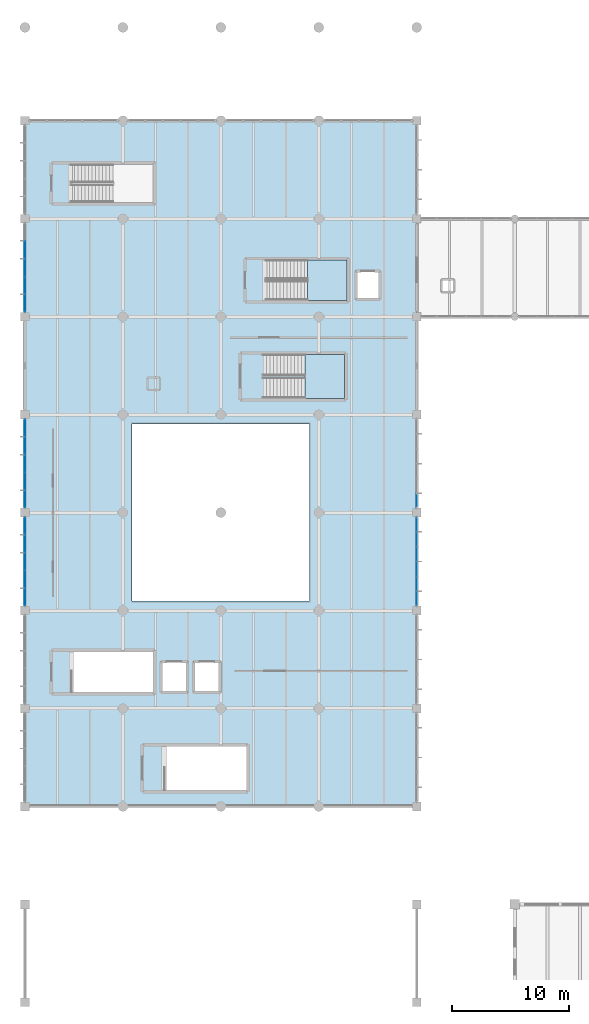
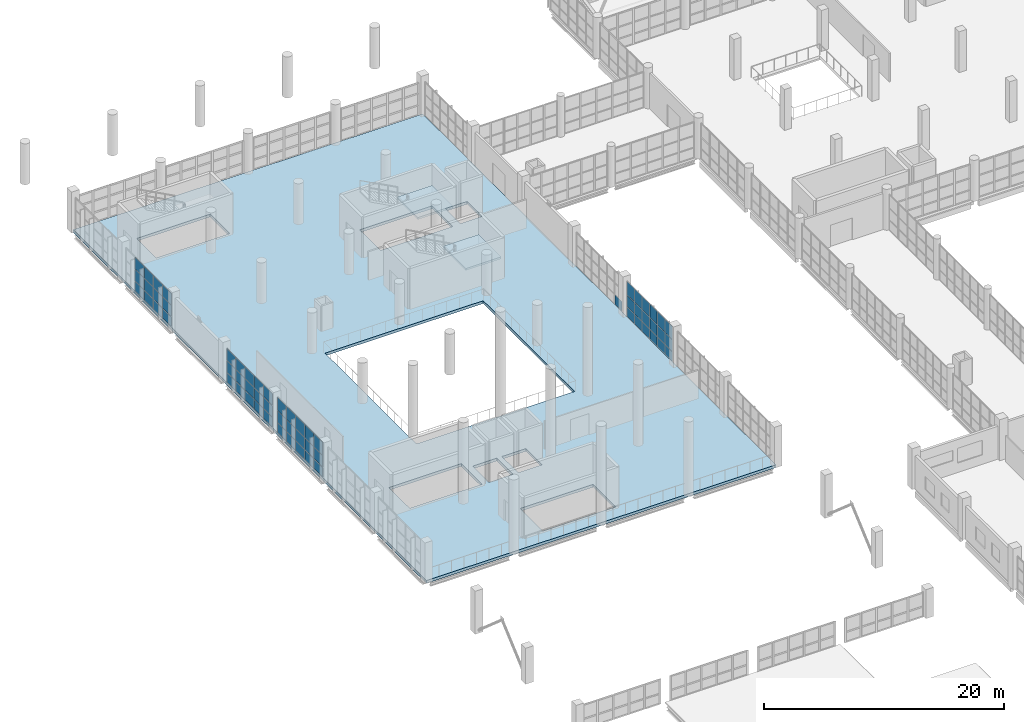
# One storey, part 127 of 177: 61 plates, 3 slabs, 7 elements without a shape of their own.
"""IFC4 building model written with IfcOpenShell, lengths in metres."""

from ifc_helpers import new_model, si_unit, direction, frame, origin, origin_2d, place, context, subcontext, project, spatial, polyline, rectangle, outline, extrude, material, layer, layer_set, type_object, element, aggregate, save


model = new_model("IFC4")

# Units and contexts
model_context = context("Model", 3, precision=1e-05, world=origin(), true_north=direction((0.0, 1.0)))
body_context = subcontext(model_context, "Body", "Model", "MODEL_VIEW")
ifc_project = project(units=[si_unit("LENGTHUNIT", "METRE"), si_unit("AREAUNIT", "SQUARE_METRE"), si_unit("VOLUMEUNIT", "CUBIC_METRE"), si_unit("PLANEANGLEUNIT", "RADIAN"), si_unit("MASSUNIT", "GRAM", prefix="KILO"), si_unit("THERMODYNAMICTEMPERATUREUNIT", "KELVIN"), si_unit("POWERUNIT", "WATT")], contexts=[model_context])

# Site, building, storey
site_placement = place(None, origin())
site = spatial("IfcSite", under=ifc_project, at=site_placement, CompositionType="ELEMENT")
building_placement = place(site_placement, origin())
building = spatial("IfcBuilding", under=site, at=building_placement, Name="Mavoryth Pier Ferry Terminal", CompositionType="ELEMENT")
storey_placement = place(building_placement, frame((0.0, 0.0, 5.43994140625)))
storey = spatial("IfcBuildingStorey", under=building, at=storey_placement, Name="L01", CompositionType="ELEMENT", Elevation=5.43994140625)

# Curtain wall, plates
ifc_material_1 = material(Name="Anodised Aluminium and Solar-Control Low-E Glass", Category="aluminium")
ifc_layer_1 = layer(ifc_material_1, 0.179931640625, Name="Anodised Aluminium and Solar-Control Low-E Glass", Category="aluminium")
ifc_layer_set_1 = layer_set([ifc_layer_1], Name="Anodised Aluminium and Solar-Control Low-E Glass - CW-Concourse-Mod1400")
curtain_wall_type_1 = type_object("IfcCurtainWallType", Name="CW-Concourse-Mod1400", PredefinedType="USERDEFINED", material=ifc_layer_set_1)
curtain_wall_1_placement = place(storey_placement, origin())
curtain_wall_1 = element("IfcCurtainWall", 1, at=curtain_wall_1_placement, inside=storey, type_object=curtain_wall_type_1, Name="Curtain Wall CW-0122-015", ObjectType="UNITISED CURTAIN WALL", PredefinedType="USERDEFINED")
ifc_material_2 = material(Name="Solar-Control Low-E Laminated Double Glazing", Category="glass")
ifc_layer_2 = layer(ifc_material_2, 0.02392578125, Name="Solar-Control Low-E Laminated Double Glazing", Category="glass")
ifc_layer_set_2 = layer_set([ifc_layer_2], Name="Solar-Control Low-E Laminated Double Glazing - Panel-LowE-DGU-24")
plate_type = type_object("IfcPlateType", Name="Panel-LowE-DGU-24", PredefinedType="CURTAIN_PANEL", material=ifc_layer_set_2)
plate_1_placement = place(storey_placement, frame((0.0, 71.2451171875, 0.06005859375), z_axis=(0.0, 0.0, 1.0), x_axis=(0.0, -1.0, 0.0)))
plate_1 = element("IfcPlate", 2, at=plate_1_placement, type_object=plate_type, Name="CW01 panel 1.1", PredefinedType="CURTAIN_PANEL", context=body_context, shape_type="SweptSolid", body=[
    extrude(rectangle(XDim=1.43994140625, YDim=0.02392578125, at=origin_2d()), origin(), (0.0, 0.0, 1.0), 0.9599609375),
])
plate_2_placement = place(storey_placement, frame((0.0, 71.2451171875, 1.080078125), z_axis=(0.0, 0.0, 1.0), x_axis=(0.0, -1.0, 0.0)))
plate_2 = element("IfcPlate", 3, at=plate_2_placement, type_object=plate_type, Name="CW01 panel 1.2", PredefinedType="CURTAIN_PANEL", context=body_context, shape_type="SweptSolid", body=[
    extrude(rectangle(XDim=1.43994140625, YDim=0.02392578125, at=origin_2d()), origin(), (0.0, 0.0, 1.0), 1.139892578125),
])
plate_3_placement = place(storey_placement, frame((0.0, 71.2451171875, 2.27978515625), z_axis=(0.0, 0.0, 1.0), x_axis=(0.0, -1.0, 0.0)))
plate_3 = element("IfcPlate", 4, at=plate_3_placement, type_object=plate_type, Name="CW01 panel 1.3", PredefinedType="CURTAIN_PANEL", context=body_context, shape_type="SweptSolid", body=[
    extrude(rectangle(XDim=1.43994140625, YDim=0.02392578125, at=origin_2d()), origin(), (0.0, 0.0, 1.0), 1.320068359375),
])
plate_4_placement = place(storey_placement, frame((0.0, 69.72998046875, 0.06005859375), z_axis=(0.0, 0.0, 1.0), x_axis=(0.0, -1.0, 0.0)))
plate_4 = element("IfcPlate", 5, at=plate_4_placement, type_object=plate_type, Name="CW01 panel 2.1", PredefinedType="CURTAIN_PANEL", context=body_context, shape_type="SweptSolid", body=[
    extrude(rectangle(XDim=1.469970703125, YDim=0.02392578125, at=origin_2d()), origin(), (0.0, 0.0, 1.0), 0.9599609375),
])
plate_5_placement = place(storey_placement, frame((0.0, 69.72998046875, 1.080078125), z_axis=(0.0, 0.0, 1.0), x_axis=(0.0, -1.0, 0.0)))
plate_5 = element("IfcPlate", 6, at=plate_5_placement, type_object=plate_type, Name="CW01 panel 2.2", PredefinedType="CURTAIN_PANEL", context=body_context, shape_type="SweptSolid", body=[
    extrude(rectangle(XDim=1.469970703125, YDim=0.02392578125, at=origin_2d()), origin(), (0.0, 0.0, 1.0), 1.139892578125),
])
plate_6_placement = place(storey_placement, frame((0.0, 69.72998046875, 2.27978515625), z_axis=(0.0, 0.0, 1.0), x_axis=(0.0, -1.0, 0.0)))
plate_6 = element("IfcPlate", 7, at=plate_6_placement, type_object=plate_type, Name="CW01 panel 2.3", PredefinedType="CURTAIN_PANEL", context=body_context, shape_type="SweptSolid", body=[
    extrude(rectangle(XDim=1.469970703125, YDim=0.02392578125, at=origin_2d()), origin(), (0.0, 0.0, 1.0), 1.320068359375),
])
plate_7_placement = place(storey_placement, frame((0.0, 68.199951171875, 0.06005859375), z_axis=(0.0, 0.0, 1.0), x_axis=(0.0, -1.0, 0.0)))
plate_7 = element("IfcPlate", 8, at=plate_7_placement, type_object=plate_type, Name="CW01 panel 3.1", PredefinedType="CURTAIN_PANEL", context=body_context, shape_type="SweptSolid", body=[
    extrude(rectangle(XDim=1.469970703125, YDim=0.02392578125, at=origin_2d()), origin(), (0.0, 0.0, 1.0), 0.9599609375),
])
plate_8_placement = place(storey_placement, frame((0.0, 68.199951171875, 1.080078125), z_axis=(0.0, 0.0, 1.0), x_axis=(0.0, -1.0, 0.0)))
plate_8 = element("IfcPlate", 9, at=plate_8_placement, type_object=plate_type, Name="CW01 panel 3.2", PredefinedType="CURTAIN_PANEL", context=body_context, shape_type="SweptSolid", body=[
    extrude(rectangle(XDim=1.469970703125, YDim=0.02392578125, at=origin_2d()), origin(), (0.0, 0.0, 1.0), 1.139892578125),
])
plate_9_placement = place(storey_placement, frame((0.0, 68.199951171875, 2.27978515625), z_axis=(0.0, 0.0, 1.0), x_axis=(0.0, -1.0, 0.0)))
plate_9 = element("IfcPlate", 10, at=plate_9_placement, type_object=plate_type, Name="CW01 panel 3.3", PredefinedType="CURTAIN_PANEL", context=body_context, shape_type="SweptSolid", body=[
    extrude(rectangle(XDim=1.469970703125, YDim=0.02392578125, at=origin_2d()), origin(), (0.0, 0.0, 1.0), 1.320068359375),
])
plate_10_placement = place(storey_placement, frame((0.0, 66.669921875, 0.06005859375), z_axis=(0.0, 0.0, 1.0), x_axis=(0.0, -1.0, 0.0)))
plate_10 = element("IfcPlate", 11, at=plate_10_placement, type_object=plate_type, Name="CW01 panel 4.1", PredefinedType="CURTAIN_PANEL", context=body_context, shape_type="SweptSolid", body=[
    extrude(rectangle(XDim=1.469970703125, YDim=0.02392578125, at=origin_2d()), origin(), (0.0, 0.0, 1.0), 0.9599609375),
])
plate_11_placement = place(storey_placement, frame((0.0, 66.669921875, 1.080078125), z_axis=(0.0, 0.0, 1.0), x_axis=(0.0, -1.0, 0.0)))
plate_11 = element("IfcPlate", 12, at=plate_11_placement, type_object=plate_type, Name="CW01 panel 4.2", PredefinedType="CURTAIN_PANEL", context=body_context, shape_type="SweptSolid", body=[
    extrude(rectangle(XDim=1.469970703125, YDim=0.02392578125, at=origin_2d()), origin(), (0.0, 0.0, 1.0), 1.139892578125),
])
plate_12_placement = place(storey_placement, frame((0.0, 66.669921875, 2.27978515625), z_axis=(0.0, 0.0, 1.0), x_axis=(0.0, -1.0, 0.0)))
plate_12 = element("IfcPlate", 13, at=plate_12_placement, type_object=plate_type, Name="CW01 panel 4.3", PredefinedType="CURTAIN_PANEL", context=body_context, shape_type="SweptSolid", body=[
    extrude(rectangle(XDim=1.469970703125, YDim=0.02392578125, at=origin_2d()), origin(), (0.0, 0.0, 1.0), 1.320068359375),
])
plate_13_placement = place(storey_placement, frame((0.0, 65.155029296875, 0.06005859375), z_axis=(0.0, 0.0, 1.0), x_axis=(0.0, -1.0, 0.0)))
plate_13 = element("IfcPlate", 14, at=plate_13_placement, type_object=plate_type, Name="CW01 panel 5.1", PredefinedType="CURTAIN_PANEL", context=body_context, shape_type="SweptSolid", body=[
    extrude(rectangle(XDim=1.43994140625, YDim=0.02392578125, at=origin_2d()), origin(), (0.0, 0.0, 1.0), 0.9599609375),
])
plate_14_placement = place(storey_placement, frame((0.0, 65.155029296875, 1.080078125), z_axis=(0.0, 0.0, 1.0), x_axis=(0.0, -1.0, 0.0)))
plate_14 = element("IfcPlate", 15, at=plate_14_placement, type_object=plate_type, Name="CW01 panel 5.2", PredefinedType="CURTAIN_PANEL", context=body_context, shape_type="SweptSolid", body=[
    extrude(rectangle(XDim=1.43994140625, YDim=0.02392578125, at=origin_2d()), origin(), (0.0, 0.0, 1.0), 1.139892578125),
])
plate_15_placement = place(storey_placement, frame((0.0, 65.155029296875, 2.27978515625), z_axis=(0.0, 0.0, 1.0), x_axis=(0.0, -1.0, 0.0)))
plate_15 = element("IfcPlate", 16, at=plate_15_placement, type_object=plate_type, Name="CW01 panel 5.3", PredefinedType="CURTAIN_PANEL", context=body_context, shape_type="SweptSolid", body=[
    extrude(rectangle(XDim=1.43994140625, YDim=0.02392578125, at=origin_2d()), origin(), (0.0, 0.0, 1.0), 1.320068359375),
])
aggregate(curtain_wall_1, [plate_1, plate_2, plate_3, plate_4, plate_5, plate_6, plate_7, plate_8, plate_9, plate_10, plate_11, plate_12, plate_13, plate_14, plate_15])

ifc_layer_3 = layer(ifc_material_1, 0.199951171875, Name="Anodised Aluminium and Solar-Control Low-E Glass", Category="aluminium")
ifc_layer_set_3 = layer_set([ifc_layer_3], Name="Anodised Aluminium and Solar-Control Low-E Glass - CW-Concourse-Mod1200")
curtain_wall_type_2 = type_object("IfcCurtainWallType", Name="CW-Concourse-Mod1200", PredefinedType="USERDEFINED", material=ifc_layer_set_3)
curtain_wall_2_placement = place(storey_placement, origin())
curtain_wall_2 = element("IfcCurtainWall", 17, at=curtain_wall_2_placement, inside=storey, type_object=curtain_wall_type_2, Name="Curtain Wall CW-0111-016", ObjectType="UNITISED CURTAIN WALL", PredefinedType="USERDEFINED")
plate_16_placement = place(storey_placement, frame((33.60009765625, 65.0263671875, 0.05517578125), z_axis=(0.0, 0.0, 1.0), x_axis=(0.0, 1.0, 0.0)))
plate_16 = element("IfcPlate", 18, at=plate_16_placement, type_object=plate_type, Name="CW02 panel 1.1", PredefinedType="CURTAIN_PANEL", context=body_context, shape_type="SweptSolid", body=[
    extrude(rectangle(XDim=1.1923828125, YDim=0.02392578125, at=origin_2d()), origin(), (0.0, 0.0, 1.0), 0.967529296875),
])
plate_17_placement = place(storey_placement, frame((33.60009765625, 65.0263671875, 1.07763671875), z_axis=(0.0, 0.0, 1.0), x_axis=(0.0, 1.0, 0.0)))
plate_17 = element("IfcPlate", 19, at=plate_17_placement, type_object=plate_type, Name="CW02 panel 1.2", PredefinedType="CURTAIN_PANEL", context=body_context, shape_type="SweptSolid", body=[
    extrude(rectangle(XDim=1.1923828125, YDim=0.02392578125, at=origin_2d()), origin(), (0.0, 0.0, 1.0), 1.14501953125),
])
plate_18_placement = place(storey_placement, frame((33.60009765625, 65.0263671875, 2.27783203125), z_axis=(0.0, 0.0, 1.0), x_axis=(0.0, 1.0, 0.0)))
plate_18 = element("IfcPlate", 20, at=plate_18_placement, type_object=plate_type, Name="CW02 panel 1.3", PredefinedType="CURTAIN_PANEL", context=body_context, shape_type="SweptSolid", body=[
    extrude(rectangle(XDim=1.1923828125, YDim=0.02392578125, at=origin_2d()), origin(), (0.0, 0.0, 1.0), 1.327392578125),
])
plate_19_placement = place(storey_placement, frame((33.60009765625, 66.28759765625, 0.05517578125), z_axis=(0.0, 0.0, 1.0), x_axis=(0.0, 1.0, 0.0)))
plate_19 = element("IfcPlate", 21, at=plate_19_placement, type_object=plate_type, Name="CW02 panel 2.1", PredefinedType="CURTAIN_PANEL", context=body_context, shape_type="SweptSolid", body=[
    extrude(rectangle(XDim=1.219970703125, YDim=0.02392578125, at=origin_2d()), origin(), (0.0, 0.0, 1.0), 0.967529296875),
])
plate_20_placement = place(storey_placement, frame((33.60009765625, 66.28759765625, 1.07763671875), z_axis=(0.0, 0.0, 1.0), x_axis=(0.0, 1.0, 0.0)))
plate_20 = element("IfcPlate", 22, at=plate_20_placement, type_object=plate_type, Name="CW02 panel 2.2", PredefinedType="CURTAIN_PANEL", context=body_context, shape_type="SweptSolid", body=[
    extrude(rectangle(XDim=1.219970703125, YDim=0.02392578125, at=origin_2d()), origin(), (0.0, 0.0, 1.0), 1.14501953125),
])
plate_21_placement = place(storey_placement, frame((33.60009765625, 66.28759765625, 2.27783203125), z_axis=(0.0, 0.0, 1.0), x_axis=(0.0, 1.0, 0.0)))
plate_21 = element("IfcPlate", 23, at=plate_21_placement, type_object=plate_type, Name="CW02 panel 2.3", PredefinedType="CURTAIN_PANEL", context=body_context, shape_type="SweptSolid", body=[
    extrude(rectangle(XDim=1.219970703125, YDim=0.02392578125, at=origin_2d()), origin(), (0.0, 0.0, 1.0), 1.327392578125),
])
plate_22_placement = place(storey_placement, frame((33.60009765625, 67.5625, 0.05517578125), z_axis=(0.0, 0.0, 1.0), x_axis=(0.0, 1.0, 0.0)))
plate_22 = element("IfcPlate", 24, at=plate_22_placement, type_object=plate_type, Name="CW02 panel 3.1", PredefinedType="CURTAIN_PANEL", context=body_context, shape_type="SweptSolid", body=[
    extrude(rectangle(XDim=1.219970703125, YDim=0.02392578125, at=origin_2d()), origin(), (0.0, 0.0, 1.0), 0.967529296875),
])
plate_23_placement = place(storey_placement, frame((33.60009765625, 67.5625, 1.07763671875), z_axis=(0.0, 0.0, 1.0), x_axis=(0.0, 1.0, 0.0)))
plate_23 = element("IfcPlate", 25, at=plate_23_placement, type_object=plate_type, Name="CW02 panel 3.2", PredefinedType="CURTAIN_PANEL", context=body_context, shape_type="SweptSolid", body=[
    extrude(rectangle(XDim=1.219970703125, YDim=0.02392578125, at=origin_2d()), origin(), (0.0, 0.0, 1.0), 1.14501953125),
])
plate_24_placement = place(storey_placement, frame((33.60009765625, 67.5625, 2.27783203125), z_axis=(0.0, 0.0, 1.0), x_axis=(0.0, 1.0, 0.0)))
plate_24 = element("IfcPlate", 26, at=plate_24_placement, type_object=plate_type, Name="CW02 panel 3.3", PredefinedType="CURTAIN_PANEL", context=body_context, shape_type="SweptSolid", body=[
    extrude(rectangle(XDim=1.219970703125, YDim=0.02392578125, at=origin_2d()), origin(), (0.0, 0.0, 1.0), 1.327392578125),
])
plate_25_placement = place(storey_placement, frame((33.60009765625, 68.83740234375, 0.05517578125), z_axis=(0.0, 0.0, 1.0), x_axis=(0.0, 1.0, 0.0)))
plate_25 = element("IfcPlate", 27, at=plate_25_placement, type_object=plate_type, Name="CW02 panel 4.1", PredefinedType="CURTAIN_PANEL", context=body_context, shape_type="SweptSolid", body=[
    extrude(rectangle(XDim=1.219970703125, YDim=0.02392578125, at=origin_2d()), origin(), (0.0, 0.0, 1.0), 0.967529296875),
])
plate_26_placement = place(storey_placement, frame((33.60009765625, 68.83740234375, 1.07763671875), z_axis=(0.0, 0.0, 1.0), x_axis=(0.0, 1.0, 0.0)))
plate_26 = element("IfcPlate", 28, at=plate_26_placement, type_object=plate_type, Name="CW02 panel 4.2", PredefinedType="CURTAIN_PANEL", context=body_context, shape_type="SweptSolid", body=[
    extrude(rectangle(XDim=1.219970703125, YDim=0.02392578125, at=origin_2d()), origin(), (0.0, 0.0, 1.0), 1.14501953125),
])
plate_27_placement = place(storey_placement, frame((33.60009765625, 68.83740234375, 2.27783203125), z_axis=(0.0, 0.0, 1.0), x_axis=(0.0, 1.0, 0.0)))
plate_27 = element("IfcPlate", 29, at=plate_27_placement, type_object=plate_type, Name="CW02 panel 4.3", PredefinedType="CURTAIN_PANEL", context=body_context, shape_type="SweptSolid", body=[
    extrude(rectangle(XDim=1.219970703125, YDim=0.02392578125, at=origin_2d()), origin(), (0.0, 0.0, 1.0), 1.327392578125),
])
plate_28_placement = place(storey_placement, frame((33.60009765625, 70.112548828125, 0.05517578125), z_axis=(0.0, 0.0, 1.0), x_axis=(0.0, 1.0, 0.0)))
plate_28 = element("IfcPlate", 30, at=plate_28_placement, type_object=plate_type, Name="CW02 panel 5.1", PredefinedType="CURTAIN_PANEL", context=body_context, shape_type="SweptSolid", body=[
    extrude(rectangle(XDim=1.219970703125, YDim=0.02392578125, at=origin_2d()), origin(), (0.0, 0.0, 1.0), 0.967529296875),
])
plate_29_placement = place(storey_placement, frame((33.60009765625, 70.112548828125, 1.07763671875), z_axis=(0.0, 0.0, 1.0), x_axis=(0.0, 1.0, 0.0)))
plate_29 = element("IfcPlate", 31, at=plate_29_placement, type_object=plate_type, Name="CW02 panel 5.2", PredefinedType="CURTAIN_PANEL", context=body_context, shape_type="SweptSolid", body=[
    extrude(rectangle(XDim=1.219970703125, YDim=0.02392578125, at=origin_2d()), origin(), (0.0, 0.0, 1.0), 1.14501953125),
])
plate_30_placement = place(storey_placement, frame((33.60009765625, 70.112548828125, 2.27783203125), z_axis=(0.0, 0.0, 1.0), x_axis=(0.0, 1.0, 0.0)))
plate_30 = element("IfcPlate", 32, at=plate_30_placement, type_object=plate_type, Name="CW02 panel 5.3", PredefinedType="CURTAIN_PANEL", context=body_context, shape_type="SweptSolid", body=[
    extrude(rectangle(XDim=1.219970703125, YDim=0.02392578125, at=origin_2d()), origin(), (0.0, 0.0, 1.0), 1.327392578125),
])
plate_31_placement = place(storey_placement, frame((33.60009765625, 71.373779296875, 0.05517578125), z_axis=(0.0, 0.0, 1.0), x_axis=(0.0, 1.0, 0.0)))
plate_31 = element("IfcPlate", 33, at=plate_31_placement, type_object=plate_type, Name="CW02 panel 6.1", PredefinedType="CURTAIN_PANEL", context=body_context, shape_type="SweptSolid", body=[
    extrude(rectangle(XDim=1.1923828125, YDim=0.02392578125, at=origin_2d()), origin(), (0.0, 0.0, 1.0), 0.967529296875),
])
plate_32_placement = place(storey_placement, frame((33.60009765625, 71.373779296875, 1.07763671875), z_axis=(0.0, 0.0, 1.0), x_axis=(0.0, 1.0, 0.0)))
plate_32 = element("IfcPlate", 34, at=plate_32_placement, type_object=plate_type, Name="CW02 panel 6.2", PredefinedType="CURTAIN_PANEL", context=body_context, shape_type="SweptSolid", body=[
    extrude(rectangle(XDim=1.1923828125, YDim=0.02392578125, at=origin_2d()), origin(), (0.0, 0.0, 1.0), 1.14501953125),
])
plate_33_placement = place(storey_placement, frame((33.60009765625, 71.373779296875, 2.27783203125), z_axis=(0.0, 0.0, 1.0), x_axis=(0.0, 1.0, 0.0)))
plate_33 = element("IfcPlate", 35, at=plate_33_placement, type_object=plate_type, Name="CW02 panel 6.3", PredefinedType="CURTAIN_PANEL", context=body_context, shape_type="SweptSolid", body=[
    extrude(rectangle(XDim=1.1923828125, YDim=0.02392578125, at=origin_2d()), origin(), (0.0, 0.0, 1.0), 1.327392578125),
])
aggregate(curtain_wall_2, [plate_16, plate_17, plate_18, plate_19, plate_20, plate_21, plate_22, plate_23, plate_24, plate_25, plate_26, plate_27, plate_28, plate_29, plate_30, plate_31, plate_32, plate_33])

curtain_wall_3_placement = place(storey_placement, origin())
curtain_wall_3 = element("IfcCurtainWall", 36, at=curtain_wall_3_placement, inside=storey, type_object=curtain_wall_type_1, Name="Curtain Wall CW-0122-019", ObjectType="UNITISED CURTAIN WALL", PredefinedType="USERDEFINED")
plate_34_placement = place(storey_placement, frame((0.0, 79.64501953125, 0.06005859375), z_axis=(0.0, 0.0, 1.0), x_axis=(0.0, -1.0, 0.0)))
plate_34 = element("IfcPlate", 37, at=plate_34_placement, type_object=plate_type, Name="CW01 panel 1.1", PredefinedType="CURTAIN_PANEL", context=body_context, shape_type="SweptSolid", body=[
    extrude(rectangle(XDim=1.43994140625, YDim=0.02392578125, at=origin_2d()), origin(), (0.0, 0.0, 1.0), 0.9599609375),
])
plate_35_placement = place(storey_placement, frame((0.0, 79.64501953125, 1.080078125), z_axis=(0.0, 0.0, 1.0), x_axis=(0.0, -1.0, 0.0)))
plate_35 = element("IfcPlate", 38, at=plate_35_placement, type_object=plate_type, Name="CW01 panel 1.2", PredefinedType="CURTAIN_PANEL", context=body_context, shape_type="SweptSolid", body=[
    extrude(rectangle(XDim=1.43994140625, YDim=0.02392578125, at=origin_2d()), origin(), (0.0, 0.0, 1.0), 1.139892578125),
])
plate_36_placement = place(storey_placement, frame((0.0, 79.64501953125, 2.2802734375), z_axis=(0.0, 0.0, 1.0), x_axis=(0.0, -1.0, 0.0)))
plate_36 = element("IfcPlate", 39, at=plate_36_placement, type_object=plate_type, Name="CW01 panel 1.3", PredefinedType="CURTAIN_PANEL", context=body_context, shape_type="SweptSolid", body=[
    extrude(rectangle(XDim=1.43994140625, YDim=0.02392578125, at=origin_2d()), origin(), (0.0, 0.0, 1.0), 1.175048828125),
])
plate_37_placement = place(storey_placement, frame((0.0, 78.1298828125, 0.06005859375), z_axis=(0.0, 0.0, 1.0), x_axis=(0.0, -1.0, 0.0)))
plate_37 = element("IfcPlate", 40, at=plate_37_placement, type_object=plate_type, Name="CW01 panel 2.1", PredefinedType="CURTAIN_PANEL", context=body_context, shape_type="SweptSolid", body=[
    extrude(rectangle(XDim=1.469970703125, YDim=0.02392578125, at=origin_2d()), origin(), (0.0, 0.0, 1.0), 0.9599609375),
])
plate_38_placement = place(storey_placement, frame((0.0, 78.1298828125, 1.080078125), z_axis=(0.0, 0.0, 1.0), x_axis=(0.0, -1.0, 0.0)))
plate_38 = element("IfcPlate", 41, at=plate_38_placement, type_object=plate_type, Name="CW01 panel 2.2", PredefinedType="CURTAIN_PANEL", context=body_context, shape_type="SweptSolid", body=[
    extrude(rectangle(XDim=1.469970703125, YDim=0.02392578125, at=origin_2d()), origin(), (0.0, 0.0, 1.0), 1.139892578125),
])
plate_39_placement = place(storey_placement, frame((0.0, 78.1298828125, 2.2802734375), z_axis=(0.0, 0.0, 1.0), x_axis=(0.0, -1.0, 0.0)))
plate_39 = element("IfcPlate", 42, at=plate_39_placement, type_object=plate_type, Name="CW01 panel 2.3", PredefinedType="CURTAIN_PANEL", context=body_context, shape_type="SweptSolid", body=[
    extrude(rectangle(XDim=1.469970703125, YDim=0.02392578125, at=origin_2d()), origin(), (0.0, 0.0, 1.0), 1.175048828125),
])
plate_40_placement = place(storey_placement, frame((0.0, 76.60009765625, 0.06005859375), z_axis=(0.0, 0.0, 1.0), x_axis=(0.0, -1.0, 0.0)))
plate_40 = element("IfcPlate", 43, at=plate_40_placement, type_object=plate_type, Name="CW01 panel 3.1", PredefinedType="CURTAIN_PANEL", context=body_context, shape_type="SweptSolid", body=[
    extrude(rectangle(XDim=1.469970703125, YDim=0.02392578125, at=origin_2d()), origin(), (0.0, 0.0, 1.0), 0.9599609375),
])
plate_41_placement = place(storey_placement, frame((0.0, 76.60009765625, 1.080078125), z_axis=(0.0, 0.0, 1.0), x_axis=(0.0, -1.0, 0.0)))
plate_41 = element("IfcPlate", 44, at=plate_41_placement, type_object=plate_type, Name="CW01 panel 3.2", PredefinedType="CURTAIN_PANEL", context=body_context, shape_type="SweptSolid", body=[
    extrude(rectangle(XDim=1.469970703125, YDim=0.02392578125, at=origin_2d()), origin(), (0.0, 0.0, 1.0), 1.139892578125),
])
plate_42_placement = place(storey_placement, frame((0.0, 76.60009765625, 2.2802734375), z_axis=(0.0, 0.0, 1.0), x_axis=(0.0, -1.0, 0.0)))
plate_42 = element("IfcPlate", 45, at=plate_42_placement, type_object=plate_type, Name="CW01 panel 3.3", PredefinedType="CURTAIN_PANEL", context=body_context, shape_type="SweptSolid", body=[
    extrude(rectangle(XDim=1.469970703125, YDim=0.02392578125, at=origin_2d()), origin(), (0.0, 0.0, 1.0), 1.175048828125),
])
plate_43_placement = place(storey_placement, frame((0.0, 75.070068359375, 0.06005859375), z_axis=(0.0, 0.0, 1.0), x_axis=(0.0, -1.0, 0.0)))
plate_43 = element("IfcPlate", 46, at=plate_43_placement, type_object=plate_type, Name="CW01 panel 4.1", PredefinedType="CURTAIN_PANEL", context=body_context, shape_type="SweptSolid", body=[
    extrude(rectangle(XDim=1.469970703125, YDim=0.02392578125, at=origin_2d()), origin(), (0.0, 0.0, 1.0), 0.9599609375),
])
plate_44_placement = place(storey_placement, frame((0.0, 75.070068359375, 1.080078125), z_axis=(0.0, 0.0, 1.0), x_axis=(0.0, -1.0, 0.0)))
plate_44 = element("IfcPlate", 47, at=plate_44_placement, type_object=plate_type, Name="CW01 panel 4.2", PredefinedType="CURTAIN_PANEL", context=body_context, shape_type="SweptSolid", body=[
    extrude(rectangle(XDim=1.469970703125, YDim=0.02392578125, at=origin_2d()), origin(), (0.0, 0.0, 1.0), 1.139892578125),
])
plate_45_placement = place(storey_placement, frame((0.0, 75.070068359375, 2.2802734375), z_axis=(0.0, 0.0, 1.0), x_axis=(0.0, -1.0, 0.0)))
plate_45 = element("IfcPlate", 48, at=plate_45_placement, type_object=plate_type, Name="CW01 panel 4.3", PredefinedType="CURTAIN_PANEL", context=body_context, shape_type="SweptSolid", body=[
    extrude(rectangle(XDim=1.469970703125, YDim=0.02392578125, at=origin_2d()), origin(), (0.0, 0.0, 1.0), 1.175048828125),
])
plate_46_placement = place(storey_placement, frame((0.0, 73.554931640625, 0.06005859375), z_axis=(0.0, 0.0, 1.0), x_axis=(0.0, -1.0, 0.0)))
plate_46 = element("IfcPlate", 49, at=plate_46_placement, type_object=plate_type, Name="CW01 panel 5.1", PredefinedType="CURTAIN_PANEL", context=body_context, shape_type="SweptSolid", body=[
    extrude(rectangle(XDim=1.43994140625, YDim=0.02392578125, at=origin_2d()), origin(), (0.0, 0.0, 1.0), 0.9599609375),
])
plate_47_placement = place(storey_placement, frame((0.0, 73.554931640625, 1.080078125), z_axis=(0.0, 0.0, 1.0), x_axis=(0.0, -1.0, 0.0)))
plate_47 = element("IfcPlate", 50, at=plate_47_placement, type_object=plate_type, Name="CW01 panel 5.2", PredefinedType="CURTAIN_PANEL", context=body_context, shape_type="SweptSolid", body=[
    extrude(rectangle(XDim=1.43994140625, YDim=0.02392578125, at=origin_2d()), origin(), (0.0, 0.0, 1.0), 1.139892578125),
])
plate_48_placement = place(storey_placement, frame((0.0, 73.554931640625, 2.2802734375), z_axis=(0.0, 0.0, 1.0), x_axis=(0.0, -1.0, 0.0)))
plate_48 = element("IfcPlate", 51, at=plate_48_placement, type_object=plate_type, Name="CW01 panel 5.3", PredefinedType="CURTAIN_PANEL", context=body_context, shape_type="SweptSolid", body=[
    extrude(rectangle(XDim=1.43994140625, YDim=0.02392578125, at=origin_2d()), origin(), (0.0, 0.0, 1.0), 1.175048828125),
])
aggregate(curtain_wall_3, [plate_34, plate_35, plate_36, plate_37, plate_38, plate_39, plate_40, plate_41, plate_42, plate_43, plate_44, plate_45, plate_46, plate_47, plate_48])

# Curtain wall, plate
curtain_wall_4_placement = place(storey_placement, origin())
curtain_wall_4 = element("IfcCurtainWall", 52, at=curtain_wall_4_placement, inside=storey, type_object=curtain_wall_type_2, Name="Curtain Wall CW-0111-020", ObjectType="UNITISED CURTAIN WALL", PredefinedType="USERDEFINED")
plate_49_placement = place(storey_placement, frame((33.60009765625, 73.42626953125, 0.05517578125), z_axis=(0.0, 0.0, 1.0), x_axis=(0.0, 1.0, 0.0)))
plate_49 = element("IfcPlate", 53, at=plate_49_placement, type_object=plate_type, Name="CW02 panel 1.1", PredefinedType="CURTAIN_PANEL", context=body_context, shape_type="SweptSolid", body=[
    extrude(rectangle(XDim=1.1923828125, YDim=0.02392578125, at=origin_2d()), origin(), (0.0, 0.0, 1.0), 0.967529296875),
])
aggregate(curtain_wall_4, [plate_49])

# Curtain wall, plates
curtain_wall_5_placement = place(storey_placement, origin())
curtain_wall_5 = element("IfcCurtainWall", 54, at=curtain_wall_5_placement, inside=storey, type_object=curtain_wall_type_1, Name="Curtain Wall CW-0122-027", ObjectType="UNITISED CURTAIN WALL", PredefinedType="USERDEFINED")
plate_50_placement = place(storey_placement, frame((0.0, 94.929931640625, 0.06005859375), z_axis=(0.0, 0.0, 1.0), x_axis=(0.0, -1.0, 0.0)))
plate_50 = element("IfcPlate", 55, at=plate_50_placement, type_object=plate_type, Name="CW01 panel 2.1", PredefinedType="CURTAIN_PANEL", context=body_context, shape_type="SweptSolid", body=[
    extrude(rectangle(XDim=1.469970703125, YDim=0.02392578125, at=origin_2d()), origin(), (0.0, 0.0, 1.0), 0.9599609375),
])
plate_51_placement = place(storey_placement, frame((0.0, 94.929931640625, 1.080078125), z_axis=(0.0, 0.0, 1.0), x_axis=(0.0, -1.0, 0.0)))
plate_51 = element("IfcPlate", 56, at=plate_51_placement, type_object=plate_type, Name="CW01 panel 2.2", PredefinedType="CURTAIN_PANEL", context=body_context, shape_type="SweptSolid", body=[
    extrude(rectangle(XDim=1.469970703125, YDim=0.02392578125, at=origin_2d()), origin(), (0.0, 0.0, 1.0), 1.139892578125),
])
plate_52_placement = place(storey_placement, frame((0.0, 94.929931640625, 2.2802734375), z_axis=(0.0, 0.0, 1.0), x_axis=(0.0, -1.0, 0.0)))
plate_52 = element("IfcPlate", 57, at=plate_52_placement, type_object=plate_type, Name="CW01 panel 2.3", PredefinedType="CURTAIN_PANEL", context=body_context, shape_type="SweptSolid", body=[
    extrude(rectangle(XDim=1.469970703125, YDim=0.02392578125, at=origin_2d()), origin(), (0.0, 0.0, 1.0), 1.175048828125),
])
plate_53_placement = place(storey_placement, frame((0.0, 93.39990234375, 0.06005859375), z_axis=(0.0, 0.0, 1.0), x_axis=(0.0, -1.0, 0.0)))
plate_53 = element("IfcPlate", 58, at=plate_53_placement, type_object=plate_type, Name="CW01 panel 3.1", PredefinedType="CURTAIN_PANEL", context=body_context, shape_type="SweptSolid", body=[
    extrude(rectangle(XDim=1.469970703125, YDim=0.02392578125, at=origin_2d()), origin(), (0.0, 0.0, 1.0), 0.9599609375),
])
plate_54_placement = place(storey_placement, frame((0.0, 93.39990234375, 1.080078125), z_axis=(0.0, 0.0, 1.0), x_axis=(0.0, -1.0, 0.0)))
plate_54 = element("IfcPlate", 59, at=plate_54_placement, type_object=plate_type, Name="CW01 panel 3.2", PredefinedType="CURTAIN_PANEL", context=body_context, shape_type="SweptSolid", body=[
    extrude(rectangle(XDim=1.469970703125, YDim=0.02392578125, at=origin_2d()), origin(), (0.0, 0.0, 1.0), 1.139892578125),
])
plate_55_placement = place(storey_placement, frame((0.0, 93.39990234375, 2.2802734375), z_axis=(0.0, 0.0, 1.0), x_axis=(0.0, -1.0, 0.0)))
plate_55 = element("IfcPlate", 60, at=plate_55_placement, type_object=plate_type, Name="CW01 panel 3.3", PredefinedType="CURTAIN_PANEL", context=body_context, shape_type="SweptSolid", body=[
    extrude(rectangle(XDim=1.469970703125, YDim=0.02392578125, at=origin_2d()), origin(), (0.0, 0.0, 1.0), 1.175048828125),
])
plate_56_placement = place(storey_placement, frame((0.0, 91.8701171875, 0.06005859375), z_axis=(0.0, 0.0, 1.0), x_axis=(0.0, -1.0, 0.0)))
plate_56 = element("IfcPlate", 61, at=plate_56_placement, type_object=plate_type, Name="CW01 panel 4.1", PredefinedType="CURTAIN_PANEL", context=body_context, shape_type="SweptSolid", body=[
    extrude(rectangle(XDim=1.469970703125, YDim=0.02392578125, at=origin_2d()), origin(), (0.0, 0.0, 1.0), 0.9599609375),
])
plate_57_placement = place(storey_placement, frame((0.0, 91.8701171875, 1.080078125), z_axis=(0.0, 0.0, 1.0), x_axis=(0.0, -1.0, 0.0)))
plate_57 = element("IfcPlate", 62, at=plate_57_placement, type_object=plate_type, Name="CW01 panel 4.2", PredefinedType="CURTAIN_PANEL", context=body_context, shape_type="SweptSolid", body=[
    extrude(rectangle(XDim=1.469970703125, YDim=0.02392578125, at=origin_2d()), origin(), (0.0, 0.0, 1.0), 1.139892578125),
])
plate_58_placement = place(storey_placement, frame((0.0, 91.8701171875, 2.2802734375), z_axis=(0.0, 0.0, 1.0), x_axis=(0.0, -1.0, 0.0)))
plate_58 = element("IfcPlate", 63, at=plate_58_placement, type_object=plate_type, Name="CW01 panel 4.3", PredefinedType="CURTAIN_PANEL", context=body_context, shape_type="SweptSolid", body=[
    extrude(rectangle(XDim=1.469970703125, YDim=0.02392578125, at=origin_2d()), origin(), (0.0, 0.0, 1.0), 1.175048828125),
])
plate_59_placement = place(storey_placement, frame((0.0, 90.35498046875, 0.06005859375), z_axis=(0.0, 0.0, 1.0), x_axis=(0.0, -1.0, 0.0)))
plate_59 = element("IfcPlate", 64, at=plate_59_placement, type_object=plate_type, Name="CW01 panel 5.1", PredefinedType="CURTAIN_PANEL", context=body_context, shape_type="SweptSolid", body=[
    extrude(rectangle(XDim=1.43994140625, YDim=0.02392578125, at=origin_2d()), origin(), (0.0, 0.0, 1.0), 0.9599609375),
])
plate_60_placement = place(storey_placement, frame((0.0, 90.35498046875, 1.080078125), z_axis=(0.0, 0.0, 1.0), x_axis=(0.0, -1.0, 0.0)))
plate_60 = element("IfcPlate", 65, at=plate_60_placement, type_object=plate_type, Name="CW01 panel 5.2", PredefinedType="CURTAIN_PANEL", context=body_context, shape_type="SweptSolid", body=[
    extrude(rectangle(XDim=1.43994140625, YDim=0.02392578125, at=origin_2d()), origin(), (0.0, 0.0, 1.0), 1.139892578125),
])
plate_61_placement = place(storey_placement, frame((0.0, 90.35498046875, 2.2802734375), z_axis=(0.0, 0.0, 1.0), x_axis=(0.0, -1.0, 0.0)))
plate_61 = element("IfcPlate", 66, at=plate_61_placement, type_object=plate_type, Name="CW01 panel 5.3", PredefinedType="CURTAIN_PANEL", context=body_context, shape_type="SweptSolid", body=[
    extrude(rectangle(XDim=1.43994140625, YDim=0.02392578125, at=origin_2d()), origin(), (0.0, 0.0, 1.0), 1.175048828125),
])
aggregate(curtain_wall_5, [plate_50, plate_51, plate_52, plate_53, plate_54, plate_55, plate_56, plate_57, plate_58, plate_59, plate_60, plate_61])

# Slab
ifc_material_3 = material(Name="Concrete C35/45", Category="concrete")
ifc_layer_4 = layer(ifc_material_3, 0.280029296875, Name="Concrete C35/45", Category="concrete")
ifc_layer_set_4 = layer_set([ifc_layer_4], Name="Concrete C35/45 - Slab-Floor-Concourse-280")
slab_type_1 = type_object("IfcSlabType", Name="Slab-Floor-Concourse-280", PredefinedType="FLOOR", material=ifc_layer_set_4)
slab_1_placement = place(storey_placement, frame((0.0, 0.0, -0.280029296875)))
element("IfcSlab", 67, at=slab_1_placement, inside=storey, type_object=slab_type_1, Name="Slab SLB-V1-L01", PredefinedType="FLOOR", context=body_context, shape_type="SweptSolid", body=[
    extrude(outline(polyline([(0.0, 47.199951171875), (33.60009765625, 47.199951171875), (33.60009765625, 106.0), (0.0, 106.0), (0.0, 47.199951171875)]), holes=[polyline([(4.050048828125, 57.0), (11.0, 57.0), (11.0, 60.449951171875), (4.050048828125, 60.449951171875), (4.050048828125, 57.0)]), polyline([(20.64990234375, 90.60009765625), (27.60009765625, 90.60009765625), (27.60009765625, 94.050048828125), (20.64990234375, 94.050048828125), (20.64990234375, 90.60009765625)]), polyline([(3.949951171875, 99.0), (11.0, 99.0), (11.0, 102.25), (3.949951171875, 102.25), (3.949951171875, 99.0)]), polyline([(12.0, 48.60009765625), (19.0, 48.60009765625), (19.0, 52.35009765625), (12.0, 52.35009765625), (12.0, 48.60009765625)]), polyline([(11.64990234375, 56.949951171875), (13.949951171875, 56.949951171875), (13.949951171875, 59.64990234375), (11.64990234375, 59.64990234375), (11.64990234375, 56.949951171875)]), polyline([(14.449951171875, 56.949951171875), (16.75, 56.949951171875), (16.75, 59.64990234375), (14.449951171875, 59.64990234375), (14.449951171875, 56.949951171875)]), polyline([(28.35009765625, 90.64990234375), (30.449951171875, 90.64990234375), (30.449951171875, 93.14990234375), (28.35009765625, 93.14990234375), (28.35009765625, 90.64990234375)]), polyline([(9.199951171875, 64.800048828125), (24.39990234375, 64.800048828125), (24.39990234375, 80.0), (9.199951171875, 80.0), (9.199951171875, 64.800048828125)])]), origin(), (0.0, 0.0, 1.0), 0.280029296875),
])

# Stair, slab
stair_type_1 = type_object("IfcStairType", Name="Stair-Core-W1650", PredefinedType="TWO_STRAIGHT_RUN_STAIR", material=ifc_material_3)
stair_1_placement = place(storey_placement, origin())
stair_1 = element("IfcStair", 68, at=stair_1_placement, inside=storey, type_object=stair_type_1, Name="L01 Core C1B Stair", PredefinedType="TWO_STRAIGHT_RUN_STAIR")
ifc_layer_5 = layer(ifc_material_3, 0.199951171875, Name="Concrete C35/45", Category="concrete")
ifc_layer_set_5 = layer_set([ifc_layer_5], Name="Concrete C35/45 - Slab-Landing-RC-200")
slab_type_2 = type_object("IfcSlabType", Name="Slab-Landing-RC-200", PredefinedType="LANDING", material=ifc_layer_set_5)
slab_2_placement = place(storey_placement, frame((0.0, 0.0, 1.880126953125)))
slab_2 = element("IfcSlab", 69, at=slab_2_placement, type_object=slab_type_2, Name="ST02 landing 1", PredefinedType="LANDING", context=body_context, shape_type="SweptSolid", body=[
    extrude(outline(polyline([(24.25, 90.60009765625), (27.60009765625, 90.60009765625), (27.60009765625, 94.050048828125), (24.25, 94.050048828125), (24.25, 90.60009765625)])), origin(), (0.0, 0.0, 1.0), 0.199951171875),
])
aggregate(stair_1, [slab_2])

stair_type_2 = type_object("IfcStairType", Name="Stair-Feature-W1800", PredefinedType="TWO_STRAIGHT_RUN_STAIR", material=ifc_material_3)
stair_2_placement = place(storey_placement, origin())
stair_2 = element("IfcStair", 70, at=stair_2_placement, inside=storey, type_object=stair_type_2, Name="L01 Sea-View Lounge Feature Stair", PredefinedType="TWO_STRAIGHT_RUN_STAIR")
slab_3_placement = place(storey_placement, frame((0.0, 0.0, 1.880126953125)))
slab_3 = element("IfcSlab", 71, at=slab_3_placement, type_object=slab_type_2, Name="ST14 landing 1", PredefinedType="LANDING", context=body_context, shape_type="SweptSolid", body=[
    extrude(outline(polyline([(24.0, 82.199951171875), (27.39990234375, 82.199951171875), (27.39990234375, 85.949951171875), (24.0, 85.949951171875), (24.0, 82.199951171875)])), origin(), (0.0, 0.0, 1.0), 0.199951171875),
])
aggregate(stair_2, [slab_3])

save(model, "model.ifc")
